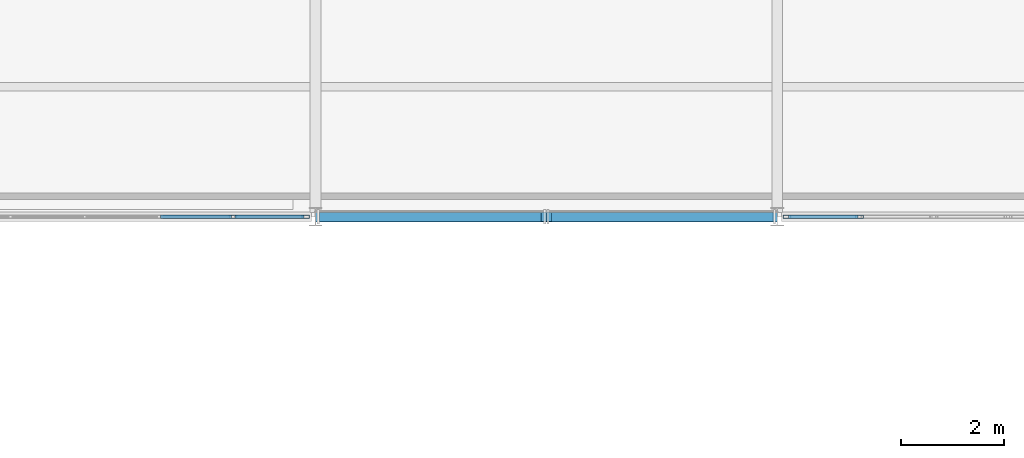
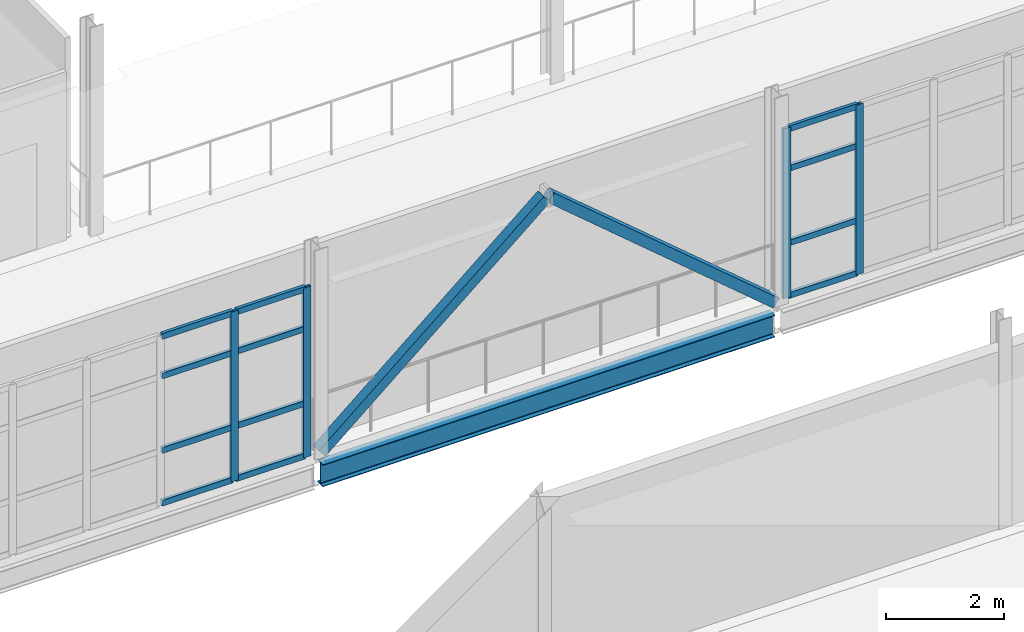
# One storey, part 31 of 174: 18 members, 1 beam, 2 elements without a shape of their own.
"""IFC4 building model written with IfcOpenShell, lengths in metres."""

import ifcopenshell
import ifcopenshell.guid

model = None  # the IFC model being written
_history = None  # IfcOwnerHistory: only IFC2X3 demands one
_inside = {}  # id of a spatial element -> (the spatial element, [elements in it])
_under = {}  # id of a project, library or spatial element -> (it, [spatial elements below it])
_declared = {}  # id of a project -> (the project, [libraries it declares])
_typed = {}  # id of a type object -> (the type object, [elements of that type])
_made_of = {}  # id of a material, layer set ... -> (it, [elements and type objects made of it])


def new_model(schema):
    """Start an empty IFC model of exactly this schema.

    Asked for "IFC4X3", IfcOpenShell would pick the latest addendum, in which some entities
    have other attributes; the version numbers below select the first issue.
    IFC2X3 requires an IfcOwnerHistory on every rooted entity: one is made here for all.
    """
    global model, _history
    if schema == "IFC4X3":
        model = ifcopenshell.file(schema_version=(4, 3, 0, 0))
    else:
        model = ifcopenshell.file(schema=schema)
    _inside.clear()
    _under.clear()
    _declared.clear()
    _typed.clear()
    _made_of.clear()
    _history = None
    if model.schema == "IFC2X3":
        org = make("IfcOrganization", Name="unknown")
        user = make(
            "IfcPersonAndOrganization",
            ThePerson=make("IfcPerson", FamilyName="unknown"),
            TheOrganization=org,
        )
        app = make(
            "IfcApplication",
            ApplicationDeveloper=org,
            Version="unknown",
            ApplicationFullName="unknown",
            ApplicationIdentifier="unknown",
        )
        _history = make(
            "IfcOwnerHistory",
            OwningUser=user,
            OwningApplication=app,
            ChangeAction="ADDED",
            CreationDate=0,
        )
    return model


def make(cls, **values):
    """One entity of the class cls with the attributes given. An attribute that is None is left unset."""
    return model.create_entity(
        cls, **{name: value for name, value in values.items() if value is not None}
    )


def rooted(cls, **values):
    """An entity with a GlobalId (a new one), such as an element, a storey or a relation."""
    return make(cls, GlobalId=ifcopenshell.guid.new(), OwnerHistory=_history, **values)


def si_unit(unit_type, name, prefix=None):
    """IfcSIUnit, for example si_unit("LENGTHUNIT", "METRE", prefix="MILLI")."""
    return make("IfcSIUnit", UnitType=unit_type, Prefix=prefix, Name=name)


def assignment(units):
    """IfcUnitAssignment: the units of a project."""
    return None if units is None else make("IfcUnitAssignment", Units=units)


def point(xyz):
    """IfcCartesianPoint."""
    return None if xyz is None else make("IfcCartesianPoint", Coordinates=xyz)


def direction(xyz):
    """IfcDirection."""
    return None if xyz is None else make("IfcDirection", DirectionRatios=xyz)


def frame(location, z_axis=None, x_axis=None):
    """IfcAxis2Placement3D, a coordinate frame: its origin and axes. An axis left out is left unset."""
    return make(
        "IfcAxis2Placement3D",
        Location=point(location),
        Axis=direction(z_axis),
        RefDirection=direction(x_axis),
    )


def frame_2d(location, x_axis=None):
    """IfcAxis2Placement2D, a coordinate frame in the plane: its origin and x axis."""
    return make(
        "IfcAxis2Placement2D", Location=point(location), RefDirection=direction(x_axis)
    )


def origin():
    """The frame at (0, 0, 0) with its axes left unset."""
    return frame((0.0, 0.0, 0.0))


def origin_2d():
    """The frame at (0, 0) in the plane with its x axis left unset."""
    return frame_2d((0.0, 0.0))


def place(relative_to, where):
    """IfcLocalPlacement: puts the frame where relative to a parent placement (None: the world)."""
    return make(
        "IfcLocalPlacement", PlacementRelTo=relative_to, RelativePlacement=where
    )


def context(
    kind, dimensions, precision=None, world=None, true_north=None, identifier=None
):
    """IfcGeometricRepresentationContext, for example the 3D "Model" context."""
    return make(
        "IfcGeometricRepresentationContext",
        ContextIdentifier=identifier,
        ContextType=kind,
        CoordinateSpaceDimension=dimensions,
        Precision=precision,
        WorldCoordinateSystem=world,
        TrueNorth=true_north,
    )


def subcontext(parent, identifier, kind, view, scale=None):
    """IfcGeometricRepresentationSubContext, for example "Body" below "Model"."""
    return make(
        "IfcGeometricRepresentationSubContext",
        ContextIdentifier=identifier,
        ContextType=kind,
        ParentContext=parent,
        TargetScale=scale,
        TargetView=view,
    )


def project(units=None, contexts=None):
    """IfcProject with its units and contexts."""
    return rooted(
        "IfcProject",
        Name="project",
        RepresentationContexts=contexts,
        UnitsInContext=assignment(units),
    )


def spatial(cls, under=None, at=None, **own):
    """A site, building, storey or space (cls), placed at a placement, below another one or the project."""
    s = rooted(cls, ObjectPlacement=at, **own)
    if under is not None:
        _under.setdefault(under.id(), (under, []))[1].append(s)
    return s


def profile(cls, at=None, kind="AREA", **sizes):
    """A parametric profile (cls). Its sizes go by their IFC names, for example OverallWidth=200.0."""
    return make(cls, ProfileType=kind, Position=at, **sizes)


def hollow_rectangle(**sizes):
    """IfcRectangleHollowProfileDef."""
    return profile("IfcRectangleHollowProfileDef", **sizes)


def i_section(**sizes):
    """IfcIShapeProfileDef."""
    return profile("IfcIShapeProfileDef", **sizes)


def extrude(swept, where, along, depth):
    """IfcExtrudedAreaSolid: the profile swept, set in the frame where, extruded along a direction by depth."""
    return make(
        "IfcExtrudedAreaSolid",
        SweptArea=swept,
        Position=where,
        ExtrudedDirection=direction(along),
        Depth=depth,
    )


def shape(context_of_items, identifier, shape_type, items):
    """IfcShapeRepresentation: the items that make up one representation, for example the "Body"."""
    return make(
        "IfcShapeRepresentation",
        ContextOfItems=context_of_items,
        RepresentationIdentifier=identifier,
        RepresentationType=shape_type,
        Items=items,
    )


def material(Name=None, Category=None):
    """IfcMaterial."""
    return make("IfcMaterial", Name=Name, Category=Category)


def material_profile(
    of_material, cross_section, Name=None, Category=None, Priority=None
):
    """IfcMaterialProfile: a cross section and its material."""
    return make(
        "IfcMaterialProfile",
        Name=Name,
        Material=of_material,
        Profile=cross_section,
        Priority=Priority,
        Category=Category,
    )


def profile_set(profiles, Name=None, composite=None):
    """IfcMaterialProfileSet."""
    return make(
        "IfcMaterialProfileSet",
        Name=Name,
        MaterialProfiles=profiles,
        CompositeProfile=composite,
    )


def made_of(thing, what):
    """Note that an element or type object is made of a material, layer set ...; save() writes the relation."""
    if what is not None:
        _made_of.setdefault(what.id(), (what, []))[1].append(thing)
    return thing


def type_object(cls, material=None, **own):
    """A type object (cls), such as IfcWallType, which elements share."""
    return made_of(rooted(cls, **own), material)


def element(
    cls,
    number,
    at=None,
    inside=None,
    cuts=None,
    type_object=None,
    material=None,
    context=None,
    identifier="Body",
    shape_type=None,
    held_by="IfcProductDefinitionShape",
    body=None,
    shapes=None,
    **own,
):
    """One element of the class cls, such as IfcWall. Its Tag is "e" and its number.

    at: its placement. inside: the storey or other place that contains it. cuts: it is an
    opening in that element (IfcRelVoidsElement). A single representation is given by context,
    identifier, shape_type and body (its items); several are given by shapes. held_by: the class
    of the entity that holds the representations. save() writes the other relations.
    """
    e = rooted(cls, Tag="e%d" % number, ObjectPlacement=at, **own)
    if body is not None:
        shapes = [shape(context, identifier, shape_type, body)]
    if shapes is not None:
        e.Representation = make(held_by, Representations=shapes)
    if inside is not None:
        _inside.setdefault(inside.id(), (inside, []))[1].append(e)
    if cuts is not None:
        rooted(
            "IfcRelVoidsElement", RelatingBuildingElement=cuts, RelatedOpeningElement=e
        )
    if type_object is not None:
        _typed.setdefault(type_object.id(), (type_object, []))[1].append(e)
    return made_of(e, material)


def aggregate(whole, parts):
    """IfcRelAggregates: a whole, such as a stair, and the parts it consists of."""
    return rooted("IfcRelAggregates", RelatingObject=whole, RelatedObjects=parts)


def save(model, path):
    """Write the relations noted so far, then the file.

    IfcRelAggregates (storeys below a building ...), IfcRelContainedInSpatialStructure (elements
    in a storey), IfcRelDefinesByType, IfcRelAssociatesMaterial and IfcRelDeclares: one each for
    every whole, place, type object, material and project.
    """
    for whole, parts in _under.values():
        aggregate(whole, parts)
    for where, things in _inside.values():
        rooted(
            "IfcRelContainedInSpatialStructure",
            RelatedElements=things,
            RelatingStructure=where,
        )
    for kind, things in _typed.values():
        rooted("IfcRelDefinesByType", RelatedObjects=things, RelatingType=kind)
    for what, things in _made_of.values():
        rooted("IfcRelAssociatesMaterial", RelatedObjects=things, RelatingMaterial=what)
    for by, libraries in _declared.values():
        rooted("IfcRelDeclares", RelatingContext=by, RelatedDefinitions=libraries)
    model.write(path)


model = new_model("IFC4")

# Units and contexts
model_context = context("Model", 3, precision=1e-05, world=origin(), true_north=direction((0.0, 1.0)))
body_context = subcontext(model_context, "Body", "Model", "MODEL_VIEW")
ifc_project = project(units=[si_unit("LENGTHUNIT", "METRE"), si_unit("AREAUNIT", "SQUARE_METRE"), si_unit("VOLUMEUNIT", "CUBIC_METRE"), si_unit("PLANEANGLEUNIT", "RADIAN"), si_unit("MASSUNIT", "GRAM", prefix="KILO")], contexts=[model_context])

# Site, building, storey
site_placement = place(None, origin())
site = spatial("IfcSite", under=ifc_project, at=site_placement, CompositionType="ELEMENT")
building_placement = place(site_placement, origin())
building = spatial("IfcBuilding", under=site, at=building_placement, Name="Caisbarro Railhouse Central Library", CompositionType="ELEMENT")
storey_placement = place(building_placement, frame((0.0, 0.0, 5.0400390625)))
storey = spatial("IfcBuildingStorey", under=building, at=storey_placement, Name="L01", CompositionType="ELEMENT", Elevation=5.0400390625)

# Beam
ifc_material_1 = material(Name="Steel ASTM A572 Grade 50", Category="steel")
ifc_material_profile_1 = material_profile(ifc_material_1, i_section(OverallWidth=0.18994140625, OverallDepth=0.45703125, WebThickness=0.009033203125, FlangeThickness=0.014404296875, FilletRadius=0.01806640625, at=origin_2d()), Name="W460X74.0")
ifc_profile_set_1 = profile_set([ifc_material_profile_1], Name="Steel ASTM A572 Grade 50")
beam_type = type_object("IfcBeamType", Name="BM-SP01", PredefinedType="SPANDREL", material=ifc_profile_set_1)
beam_placement = place(storey_placement, frame((18.080078125, 30.39990234375, -0.448486328125), z_axis=(1.0, 0.0, 0.0), x_axis=(0.0, 1.0, 0.0)))
element("IfcBeam", 1, at=beam_placement, inside=storey, type_object=beam_type, Name="SP01 beam L01 #792", PredefinedType="SPANDREL", context=body_context, shape_type="SweptSolid", body=[
    extrude(i_section(OverallWidth=0.18994140625, OverallDepth=0.45703125, WebThickness=0.009033203125, FlangeThickness=0.014404296875, FilletRadius=0.01806640625, at=origin_2d()), origin(), (0.0, 0.0, 1.0), 8.83984375),
])

# Curtain wall, members
ifc_material_2 = material(Name="Anodised architectural aluminium", Category="aluminium")
curtain_wall_type = type_object("IfcCurtainWallType", Name="CW-CW02", PredefinedType="NOTDEFINED", material=ifc_material_2)
curtain_wall_1_placement = place(storey_placement, origin())
curtain_wall_1 = element("IfcCurtainWall", 2, at=curtain_wall_1_placement, inside=storey, type_object=curtain_wall_type, Name="CW02 curtain wall L01 #34", PredefinedType="NOTDEFINED")
ifc_material_profile_2 = material_profile(ifc_material_2, hollow_rectangle(XDim=0.06494140625, YDim=0.14990234375, WallThickness=0.00390625, at=origin_2d()), Name="ALU-MUL-65X150")
ifc_profile_set_2 = profile_set([ifc_material_profile_2], Name="Anodised architectural aluminium")
member_type_1 = type_object("IfcMemberType", Name="CWM-M02", PredefinedType="MULLION", material=ifc_profile_set_2)
member_1_placement = place(storey_placement, frame((16.393310546875, 30.39990234375, 0.0), z_axis=(0.0, 0.0, 1.0), x_axis=(0.0, 1.0, 0.0)))
member_1 = element("IfcMember", 3, at=member_1_placement, type_object=member_type_1, Name="CW02 mullion 6", PredefinedType="MULLION", context=body_context, shape_type="SweptSolid", body=[
    extrude(hollow_rectangle(XDim=0.06494140625, YDim=0.14990234375, WallThickness=0.00390625, at=origin_2d()), origin(), (0.0, 0.0, 1.0), 3.510009765625),
])
member_2_placement = place(storey_placement, frame((17.8076171875, 30.39990234375, 0.0), z_axis=(0.0, 0.0, 1.0), x_axis=(0.0, 1.0, 0.0)))
member_2 = element("IfcMember", 4, at=member_2_placement, type_object=member_type_1, Name="CW02 mullion 7", PredefinedType="MULLION", context=body_context, shape_type="SweptSolid", body=[
    extrude(hollow_rectangle(XDim=0.06494140625, YDim=0.14990234375, WallThickness=0.00390625, at=origin_2d()), origin(), (0.0, 0.0, 1.0), 3.510009765625),
])

curtain_wall_2_placement = place(storey_placement, origin())
curtain_wall_2 = element("IfcCurtainWall", 5, at=curtain_wall_2_placement, inside=storey, type_object=curtain_wall_type, Name="CW02 curtain wall L01 #35", PredefinedType="NOTDEFINED")
member_3_placement = place(storey_placement, frame((27.1923828125, 30.39990234375, 0.0), z_axis=(0.0, 0.0, 1.0), x_axis=(0.0, 1.0, 0.0)))
member_3 = element("IfcMember", 6, at=member_3_placement, type_object=member_type_1, Name="CW02 mullion 1", PredefinedType="MULLION", context=body_context, shape_type="SweptSolid", body=[
    extrude(hollow_rectangle(XDim=0.06494140625, YDim=0.14990234375, WallThickness=0.00390625, at=origin_2d()), origin(), (0.0, 0.0, 1.0), 3.510009765625),
])
member_4_placement = place(storey_placement, frame((28.606689453125, 30.39990234375, 0.0), z_axis=(0.0, 0.0, 1.0), x_axis=(0.0, 1.0, 0.0)))
member_4 = element("IfcMember", 7, at=member_4_placement, type_object=member_type_1, Name="CW02 mullion 2", PredefinedType="MULLION", context=body_context, shape_type="SweptSolid", body=[
    extrude(hollow_rectangle(XDim=0.06494140625, YDim=0.14990234375, WallThickness=0.00390625, at=origin_2d()), origin(), (0.0, 0.0, 1.0), 3.510009765625),
])

# Member
ifc_material_profile_3 = material_profile(ifc_material_2, hollow_rectangle(XDim=0.06494140625, YDim=0.1201171875, WallThickness=0.00341796875, at=origin_2d()), Name="ALU-TRN-65X120")
ifc_profile_set_3 = profile_set([ifc_material_profile_3], Name="Anodised architectural aluminium")
member_type_2 = type_object("IfcMemberType", Name="CWT-T02", PredefinedType="USERDEFINED", material=ifc_profile_set_3)
member_5_placement = place(storey_placement, frame((14.979248046875, 30.39990234375, 0.032470703125), z_axis=(1.0, 0.0, 0.0), x_axis=(0.0, 1.0, 0.0)))
member_5 = element("IfcMember", 8, at=member_5_placement, type_object=member_type_2, Name="CW02 transom 5.1", ObjectType="TRANSOM", PredefinedType="USERDEFINED", context=body_context, shape_type="SweptSolid", body=[
    extrude(hollow_rectangle(XDim=0.06494140625, YDim=0.1201171875, WallThickness=0.00341796875, at=origin_2d()), origin(), (0.0, 0.0, 1.0), 1.381591796875),
])

member_6_placement = place(storey_placement, frame((14.979248046875, 30.39990234375, 1.119873046875), z_axis=(1.0, 0.0, 0.0), x_axis=(0.0, 1.0, 0.0)))
member_6 = element("IfcMember", 9, at=member_6_placement, type_object=member_type_2, Name="CW02 transom 5.2", ObjectType="TRANSOM", PredefinedType="USERDEFINED", context=body_context, shape_type="SweptSolid", body=[
    extrude(hollow_rectangle(XDim=0.06494140625, YDim=0.1201171875, WallThickness=0.00341796875, at=origin_2d()), origin(), (0.0, 0.0, 1.0), 1.381591796875),
])

member_7_placement = place(storey_placement, frame((14.979248046875, 30.39990234375, 2.659912109375), z_axis=(1.0, 0.0, 0.0), x_axis=(0.0, 1.0, 0.0)))
member_7 = element("IfcMember", 10, at=member_7_placement, type_object=member_type_2, Name="CW02 transom 5.3", ObjectType="TRANSOM", PredefinedType="USERDEFINED", context=body_context, shape_type="SweptSolid", body=[
    extrude(hollow_rectangle(XDim=0.06494140625, YDim=0.1201171875, WallThickness=0.00341796875, at=origin_2d()), origin(), (0.0, 0.0, 1.0), 1.381591796875),
])

member_8_placement = place(storey_placement, frame((14.979248046875, 30.39990234375, 3.4775390625), z_axis=(1.0, 0.0, 0.0), x_axis=(0.0, 1.0, 0.0)))
member_8 = element("IfcMember", 11, at=member_8_placement, type_object=member_type_2, Name="CW02 transom 5.4", ObjectType="TRANSOM", PredefinedType="USERDEFINED", context=body_context, shape_type="SweptSolid", body=[
    extrude(hollow_rectangle(XDim=0.06494140625, YDim=0.1201171875, WallThickness=0.00341796875, at=origin_2d()), origin(), (0.0, 0.0, 1.0), 1.381591796875),
])

member_9_placement = place(storey_placement, frame((16.42578125, 30.39990234375, 0.032470703125), z_axis=(1.0, 0.0, 0.0), x_axis=(0.0, 1.0, 0.0)))
member_9 = element("IfcMember", 12, at=member_9_placement, type_object=member_type_2, Name="CW02 transom 6.1", ObjectType="TRANSOM", PredefinedType="USERDEFINED", context=body_context, shape_type="SweptSolid", body=[
    extrude(hollow_rectangle(XDim=0.06494140625, YDim=0.1201171875, WallThickness=0.00341796875, at=origin_2d()), origin(), (0.0, 0.0, 1.0), 1.34912109375),
])

member_10_placement = place(storey_placement, frame((16.42578125, 30.39990234375, 1.119873046875), z_axis=(1.0, 0.0, 0.0), x_axis=(0.0, 1.0, 0.0)))
member_10 = element("IfcMember", 13, at=member_10_placement, type_object=member_type_2, Name="CW02 transom 6.2", ObjectType="TRANSOM", PredefinedType="USERDEFINED", context=body_context, shape_type="SweptSolid", body=[
    extrude(hollow_rectangle(XDim=0.06494140625, YDim=0.1201171875, WallThickness=0.00341796875, at=origin_2d()), origin(), (0.0, 0.0, 1.0), 1.34912109375),
])

member_11_placement = place(storey_placement, frame((16.42578125, 30.39990234375, 2.659912109375), z_axis=(1.0, 0.0, 0.0), x_axis=(0.0, 1.0, 0.0)))
member_11 = element("IfcMember", 14, at=member_11_placement, type_object=member_type_2, Name="CW02 transom 6.3", ObjectType="TRANSOM", PredefinedType="USERDEFINED", context=body_context, shape_type="SweptSolid", body=[
    extrude(hollow_rectangle(XDim=0.06494140625, YDim=0.1201171875, WallThickness=0.00341796875, at=origin_2d()), origin(), (0.0, 0.0, 1.0), 1.34912109375),
])

member_12_placement = place(storey_placement, frame((16.42578125, 30.39990234375, 3.4775390625), z_axis=(1.0, 0.0, 0.0), x_axis=(0.0, 1.0, 0.0)))
member_12 = element("IfcMember", 15, at=member_12_placement, type_object=member_type_2, Name="CW02 transom 6.4", ObjectType="TRANSOM", PredefinedType="USERDEFINED", context=body_context, shape_type="SweptSolid", body=[
    extrude(hollow_rectangle(XDim=0.06494140625, YDim=0.1201171875, WallThickness=0.00341796875, at=origin_2d()), origin(), (0.0, 0.0, 1.0), 1.34912109375),
])

aggregate(curtain_wall_1, [member_1, member_2, member_5, member_6, member_7, member_8, member_9, member_10, member_11, member_12])

member_13_placement = place(storey_placement, frame((27.22509765625, 30.39990234375, 0.032470703125), z_axis=(1.0, 0.0, 0.0), x_axis=(0.0, 1.0, 0.0)))
member_13 = element("IfcMember", 16, at=member_13_placement, type_object=member_type_2, Name="CW02 transom 1.1", ObjectType="TRANSOM", PredefinedType="USERDEFINED", context=body_context, shape_type="SweptSolid", body=[
    extrude(hollow_rectangle(XDim=0.06494140625, YDim=0.1201171875, WallThickness=0.00341796875, at=origin_2d()), origin(), (0.0, 0.0, 1.0), 1.34912109375),
])

member_14_placement = place(storey_placement, frame((27.22509765625, 30.39990234375, 1.119873046875), z_axis=(1.0, 0.0, 0.0), x_axis=(0.0, 1.0, 0.0)))
member_14 = element("IfcMember", 17, at=member_14_placement, type_object=member_type_2, Name="CW02 transom 1.2", ObjectType="TRANSOM", PredefinedType="USERDEFINED", context=body_context, shape_type="SweptSolid", body=[
    extrude(hollow_rectangle(XDim=0.06494140625, YDim=0.1201171875, WallThickness=0.00341796875, at=origin_2d()), origin(), (0.0, 0.0, 1.0), 1.34912109375),
])

member_15_placement = place(storey_placement, frame((27.22509765625, 30.39990234375, 2.659912109375), z_axis=(1.0, 0.0, 0.0), x_axis=(0.0, 1.0, 0.0)))
member_15 = element("IfcMember", 18, at=member_15_placement, type_object=member_type_2, Name="CW02 transom 1.3", ObjectType="TRANSOM", PredefinedType="USERDEFINED", context=body_context, shape_type="SweptSolid", body=[
    extrude(hollow_rectangle(XDim=0.06494140625, YDim=0.1201171875, WallThickness=0.00341796875, at=origin_2d()), origin(), (0.0, 0.0, 1.0), 1.34912109375),
])

member_16_placement = place(storey_placement, frame((27.22509765625, 30.39990234375, 3.4775390625), z_axis=(1.0, 0.0, 0.0), x_axis=(0.0, 1.0, 0.0)))
member_16 = element("IfcMember", 19, at=member_16_placement, type_object=member_type_2, Name="CW02 transom 1.4", ObjectType="TRANSOM", PredefinedType="USERDEFINED", context=body_context, shape_type="SweptSolid", body=[
    extrude(hollow_rectangle(XDim=0.06494140625, YDim=0.1201171875, WallThickness=0.00341796875, at=origin_2d()), origin(), (0.0, 0.0, 1.0), 1.34912109375),
])

aggregate(curtain_wall_2, [member_3, member_4, member_13, member_14, member_15, member_16])

# Members
ifc_material_profile_4 = material_profile(ifc_material_1, hollow_rectangle(XDim=0.199951171875, YDim=0.199951171875, WallThickness=0.012451171875, at=origin_2d()), Name="HSS200X200X12.5")
ifc_profile_set_4 = profile_set([ifc_material_profile_4], Name="Steel ASTM A572 Grade 50")
member_type_3 = type_object("IfcMemberType", Name="MEM-BR01", PredefinedType="BRACE", material=ifc_profile_set_4)
for number, where, z_axis, x_axis, name in (
    (20, (18.06005859375, 30.39990234375, 0.02001953125), (0.76364499123, 0.0, 0.645636373952), (0.0, 1.0, 0.0), "BR01 chevron brace Y30-W L01.1"),
    (21, (26.93994140625, 30.39990234375, 0.02001953125), (-0.76364499123, 0.0, 0.645636373952), (0.0, -1.0, 0.0), "BR01 chevron brace Y30-W L01.2"),
):
    element("IfcMember", number, at=place(storey_placement, frame(where, z_axis=z_axis, x_axis=x_axis)), inside=storey, type_object=member_type_3, Name=name, PredefinedType="BRACE", context=body_context, shape_type="SweptSolid", body=[
        extrude(hollow_rectangle(XDim=0.199951171875, YDim=0.199951171875, WallThickness=0.012451171875, at=origin_2d()), origin(), (0.0, 0.0, 1.0), 5.76171875),
    ])

save(model, "model.ifc")
